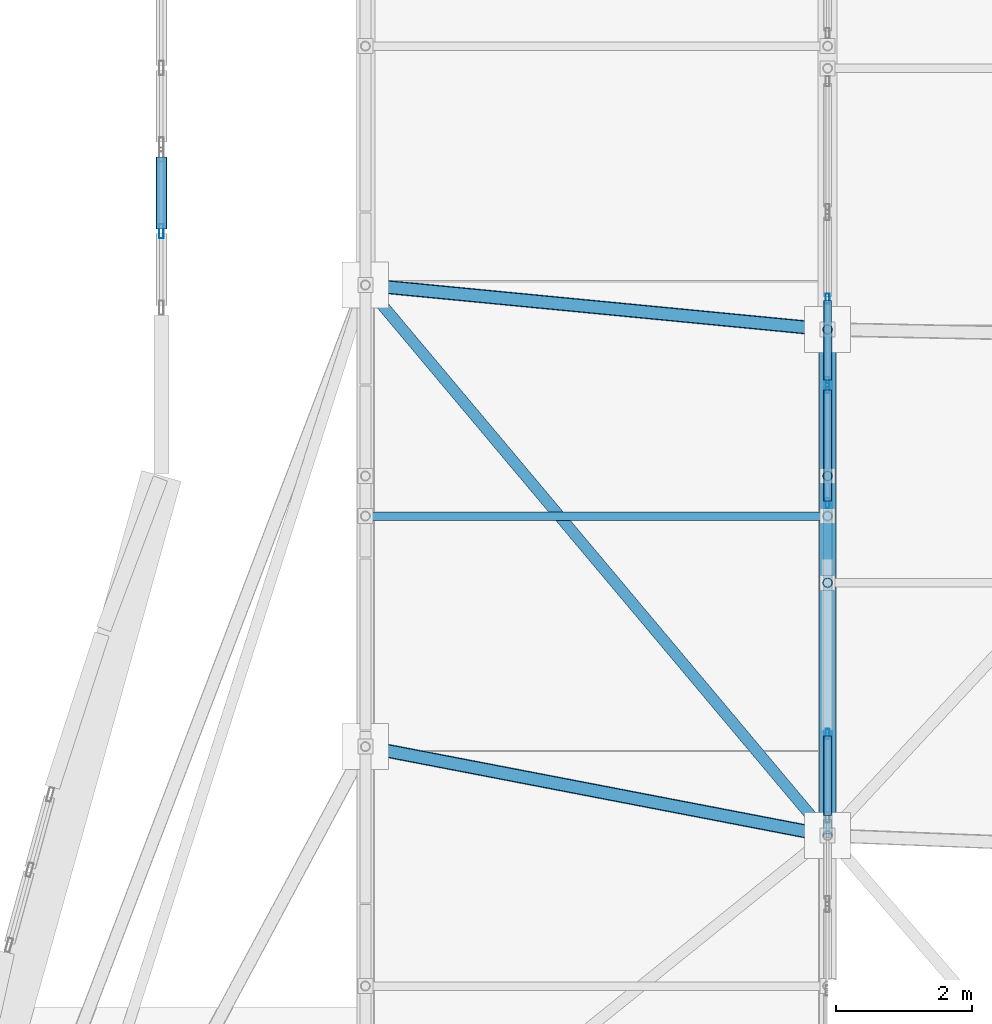
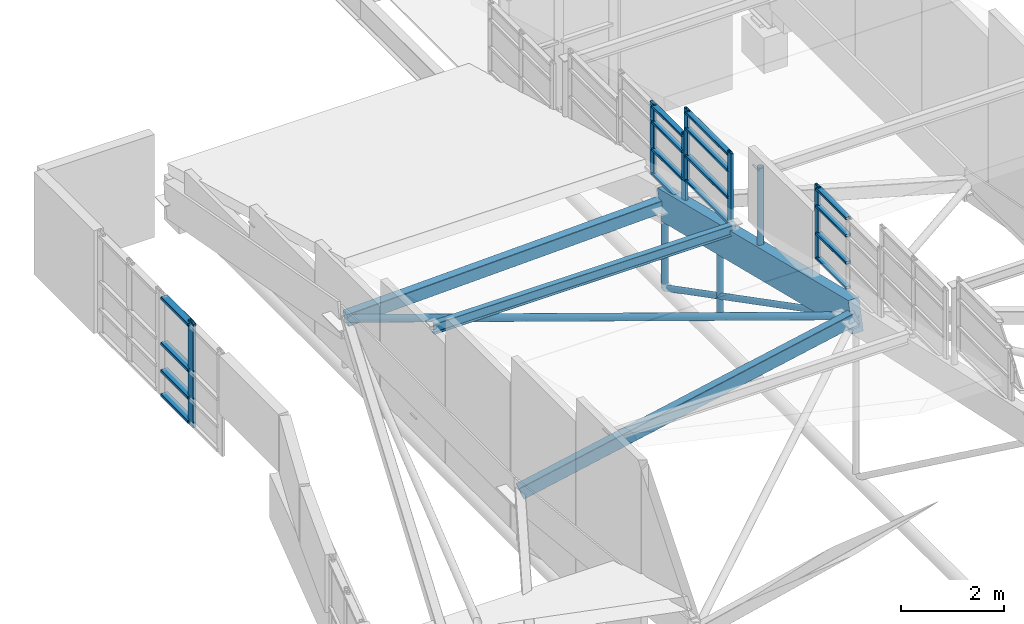
# One storey, part 57 of 188: 31 members, 4 elements without a shape of their own.
"""IFC4 building model written with IfcOpenShell, lengths in metres."""

from ifc_helpers import new_model, si_unit, direction, frame, origin, origin_2d, place, context, subcontext, project, spatial, rectangle, hollow_rectangle, hollow_circle, i_section, extrude, material, layer, layer_set, material_profile, profile_set, type_object, element, aggregate, save


model = new_model("IFC4")

# Units and contexts
model_context = context("Model", 3, precision=1e-05, world=origin(), true_north=direction((0.0, 1.0)))
body_context = subcontext(model_context, "Body", "Model", "MODEL_VIEW")
ifc_project = project(units=[si_unit("LENGTHUNIT", "METRE"), si_unit("AREAUNIT", "SQUARE_METRE"), si_unit("VOLUMEUNIT", "CUBIC_METRE"), si_unit("PLANEANGLEUNIT", "RADIAN"), si_unit("MASSUNIT", "GRAM", prefix="KILO")], contexts=[model_context])

# Site, building, storey
site_placement = place(None, origin())
site = spatial("IfcSite", under=ifc_project, at=site_placement, CompositionType="ELEMENT")
building_placement = place(site_placement, origin())
building = spatial("IfcBuilding", under=site, at=building_placement, Name="Kisaragi Civic Commons", CompositionType="ELEMENT")
storey_placement = place(building_placement, frame((0.0, 0.0, 9.60009765625)))
storey = spatial("IfcBuildingStorey", under=building, at=storey_placement, Name="L02", CompositionType="ELEMENT", Elevation=9.60009765625)

# Member
ifc_material_1 = material(Name="Steel SN400 (SN400B)", Category="steel")
ifc_material_profile_1 = material_profile(ifc_material_1, hollow_circle(Radius=0.08251953125, WallThickness=0.006103515625, at=origin_2d()), Name="CHS-165.2x6.0", Category="steel")
ifc_profile_set_1 = profile_set([ifc_material_profile_1], Name="Steel SN400 (SN400B)")
member_type_1 = type_object("IfcMemberType", Name="BR-02", PredefinedType="BRACE", material=ifc_profile_set_1)
member_1_placement = place(storey_placement, frame((6.800048828125, 55.609619140625, 0.5673828125), z_axis=(0.624527569403, -0.74385890622, 0.237990005445), x_axis=(0.765864014879, 0.643002574422, 0.0)))
element("IfcMember", 1, at=member_1_placement, inside=storey, type_object=member_type_1, Name="V1 diagonal gridshell steel brace 12", PredefinedType="BRACE", context=body_context, shape_type="SweptSolid", body=[
    extrude(hollow_circle(Radius=0.08251953125, WallThickness=0.006103515625, at=origin_2d()), origin(), (0.0, 0.0, 1.0), 10.888427734375),
])

# Curtain wall, member
ifc_material_2 = material(Name="Thermally broken anodized aluminium and low-E double glazing", Category="aluminium")
ifc_layer_1 = layer(ifc_material_2, 0.14990234375, Name="Thermally broken anodized aluminium and low-E double glazing", Category="aluminium")
ifc_layer_set_1 = layer_set([ifc_layer_1], Name="Thermally broken anodized aluminium and low-E double glazing")
curtain_wall_type_1 = type_object("IfcCurtainWallType", Name="CW-03", PredefinedType="NOTDEFINED", material=ifc_layer_set_1)
curtain_wall_1_placement = place(storey_placement, origin())
curtain_wall_1 = element("IfcCurtainWall", 2, at=curtain_wall_1_placement, inside=storey, type_object=curtain_wall_type_1, Name="L02 curtain wall CW-03 CW-CL-V1-148", PredefinedType="NOTDEFINED")
ifc_material_profile_2 = material_profile(ifc_material_2, hollow_rectangle(XDim=0.06005859375, YDim=0.14990234375, WallThickness=0.00390625, InnerFilletRadius=0.00390625, OuterFilletRadius=0.008056640625, at=origin_2d()), Name="CWM-60x150x4", Category="aluminium")
ifc_profile_set_2 = profile_set([ifc_material_profile_2], Name="Thermally broken anodized aluminium and low-E double glazing")
member_type_2 = type_object("IfcMemberType", Name="CWM-01", PredefinedType="MULLION", material=ifc_profile_set_2)
member_2_placement = place(storey_placement, frame((13.60009765625, 49.005615234375, 3.593994140625), z_axis=(0.0, 0.0, 1.0), x_axis=(-1.0, 0.0, 0.0)))
member_2 = element("IfcMember", 3, at=member_2_placement, type_object=member_type_2, Name="CW-03 mullion 3", PredefinedType="MULLION", context=body_context, shape_type="SweptSolid", body=[
    extrude(hollow_rectangle(XDim=0.06005859375, YDim=0.14990234375, WallThickness=0.00390625, InnerFilletRadius=0.00390625, OuterFilletRadius=0.008056640625, at=origin_2d()), origin(), (0.0, 0.0, 1.0), 1.770751953125),
])

# Curtain wall, members
curtain_wall_2_placement = place(storey_placement, origin())
curtain_wall_2 = element("IfcCurtainWall", 4, at=curtain_wall_2_placement, inside=storey, type_object=curtain_wall_type_1, Name="L02 curtain wall CW-03 CW-CL-V1-149", PredefinedType="NOTDEFINED")
member_3_placement = place(storey_placement, frame((13.60009765625, 52.400390625, 2.352294921875), z_axis=(0.0, 0.0, 1.0), x_axis=(-1.0, 0.0, 0.0)))
member_3 = element("IfcMember", 5, at=member_3_placement, type_object=member_type_2, Name="CW-03 mullion 1", PredefinedType="MULLION", context=body_context, shape_type="SweptSolid", body=[
    extrude(hollow_rectangle(XDim=0.06005859375, YDim=0.14990234375, WallThickness=0.00390625, InnerFilletRadius=0.00390625, OuterFilletRadius=0.008056640625, at=origin_2d()), origin(), (0.0, 0.0, 1.0), 1.74365234375),
])
member_4_placement = place(storey_placement, frame((13.60009765625, 54.094482421875, 2.352294921875), z_axis=(0.0, 0.0, 1.0), x_axis=(-1.0, 0.0, 0.0)))
member_4 = element("IfcMember", 6, at=member_4_placement, type_object=member_type_2, Name="CW-03 mullion 2", PredefinedType="MULLION", context=body_context, shape_type="SweptSolid", body=[
    extrude(hollow_rectangle(XDim=0.06005859375, YDim=0.14990234375, WallThickness=0.00390625, InnerFilletRadius=0.00390625, OuterFilletRadius=0.008056640625, at=origin_2d()), origin(), (0.0, 0.0, 1.0), 1.74365234375),
])

curtain_wall_3_placement = place(storey_placement, origin())
curtain_wall_3 = element("IfcCurtainWall", 7, at=curtain_wall_3_placement, inside=storey, type_object=curtain_wall_type_1, Name="L02 curtain wall CW-03 CW-CL-V1-150", PredefinedType="NOTDEFINED")
member_5_placement = place(storey_placement, frame((13.60009765625, 54.178466796875, 1.718017578125), z_axis=(0.0, 0.0, 1.0), x_axis=(-1.0, 0.0, 0.0)))
member_5 = element("IfcMember", 8, at=member_5_placement, type_object=member_type_2, Name="CW-03 mullion 1", PredefinedType="MULLION", context=body_context, shape_type="SweptSolid", body=[
    extrude(hollow_rectangle(XDim=0.06005859375, YDim=0.14990234375, WallThickness=0.00390625, InnerFilletRadius=0.00390625, OuterFilletRadius=0.008056640625, at=origin_2d()), origin(), (0.0, 0.0, 1.0), 1.732421875),
])
member_6_placement = place(storey_placement, frame((13.60009765625, 55.40869140625, 1.718017578125), z_axis=(0.0, 0.0, 1.0), x_axis=(-1.0, 0.0, 0.0)))
member_6 = element("IfcMember", 9, at=member_6_placement, type_object=member_type_2, Name="CW-03 mullion 2", PredefinedType="MULLION", context=body_context, shape_type="SweptSolid", body=[
    extrude(hollow_rectangle(XDim=0.06005859375, YDim=0.14990234375, WallThickness=0.00390625, InnerFilletRadius=0.00390625, OuterFilletRadius=0.008056640625, at=origin_2d()), origin(), (0.0, 0.0, 1.0), 1.732421875),
])

# Curtain wall, member
ifc_layer_2 = layer(ifc_material_2, 0.2099609375, Name="Thermally broken anodized aluminium and low-E double glazing", Category="aluminium")
ifc_layer_set_2 = layer_set([ifc_layer_2], Name="Thermally broken anodized aluminium and low-E double glazing")
curtain_wall_type_2 = type_object("IfcCurtainWallType", Name="CW-02", PredefinedType="NOTDEFINED", material=ifc_layer_set_2)
curtain_wall_4_placement = place(storey_placement, origin())
curtain_wall_4 = element("IfcCurtainWall", 10, at=curtain_wall_4_placement, inside=storey, type_object=curtain_wall_type_2, Name="L02 curtain wall CW-02 CW-GAB-V1-172", PredefinedType="NOTDEFINED")
ifc_material_profile_3 = material_profile(ifc_material_2, hollow_rectangle(XDim=0.070068359375, YDim=0.2099609375, WallThickness=0.0048828125, InnerFilletRadius=0.0048828125, OuterFilletRadius=0.010009765625, at=origin_2d()), Name="CWM-70x210x5", Category="aluminium")
ifc_profile_set_3 = profile_set([ifc_material_profile_3], Name="Thermally broken anodized aluminium and low-E double glazing")
member_type_3 = type_object("IfcMemberType", Name="CWM-03", PredefinedType="MULLION", material=ifc_profile_set_3)
member_7_placement = place(storey_placement, frame((3.800048828125, 56.39990234375, -1.399169921875), z_axis=(0.0, 0.0, 1.0), x_axis=(-1.0, 0.0, 0.0)))
member_7 = element("IfcMember", 11, at=member_7_placement, type_object=member_type_3, Name="CW-02 mullion 2", PredefinedType="MULLION", context=body_context, shape_type="SweptSolid", body=[
    extrude(hollow_rectangle(XDim=0.070068359375, YDim=0.2099609375, WallThickness=0.0048828125, InnerFilletRadius=0.0048828125, OuterFilletRadius=0.010009765625, at=origin_2d()), origin(), (0.0, 0.0, 1.0), 2.461181640625),
])

# Member
ifc_material_profile_4 = material_profile(ifc_material_2, hollow_rectangle(XDim=0.1201171875, YDim=0.06005859375, WallThickness=0.00390625, InnerFilletRadius=0.00390625, OuterFilletRadius=0.008056640625, at=origin_2d()), Name="CWT-60x120x4", Category="aluminium")
ifc_profile_set_4 = profile_set([ifc_material_profile_4], Name="Thermally broken anodized aluminium and low-E double glazing")
member_type_4 = type_object("IfcMemberType", Name="CWT-01", PredefinedType="USERDEFINED", material=ifc_profile_set_4)
member_8_placement = place(storey_placement, frame((13.60009765625, 47.80517578125, 3.654052734375), z_axis=(0.0, 1.0, 0.0), x_axis=(-1.0, 0.0, 0.0)))
member_8 = element("IfcMember", 12, at=member_8_placement, type_object=member_type_4, Name="CW-03 transom 2.1", ObjectType="TRANSOM", PredefinedType="USERDEFINED", context=body_context, shape_type="SweptSolid", body=[
    extrude(hollow_rectangle(XDim=0.1201171875, YDim=0.06005859375, WallThickness=0.00390625, InnerFilletRadius=0.00390625, OuterFilletRadius=0.008056640625, at=origin_2d()), origin(), (0.0, 0.0, 1.0), 1.17041015625),
])

member_9_placement = place(storey_placement, frame((13.60009765625, 47.80517578125, 4.244140625), z_axis=(0.0, 1.0, 0.0), x_axis=(-1.0, 0.0, 0.0)))
member_9 = element("IfcMember", 13, at=member_9_placement, type_object=member_type_4, Name="CW-03 transom 2.2", ObjectType="TRANSOM", PredefinedType="USERDEFINED", context=body_context, shape_type="SweptSolid", body=[
    extrude(hollow_rectangle(XDim=0.1201171875, YDim=0.06005859375, WallThickness=0.00390625, InnerFilletRadius=0.00390625, OuterFilletRadius=0.008056640625, at=origin_2d()), origin(), (0.0, 0.0, 1.0), 1.17041015625),
])

member_10_placement = place(storey_placement, frame((13.60009765625, 47.80517578125, 4.89404296875), z_axis=(0.0, 1.0, 0.0), x_axis=(-1.0, 0.0, 0.0)))
member_10 = element("IfcMember", 14, at=member_10_placement, type_object=member_type_4, Name="CW-03 transom 2.3", ObjectType="TRANSOM", PredefinedType="USERDEFINED", context=body_context, shape_type="SweptSolid", body=[
    extrude(hollow_rectangle(XDim=0.1201171875, YDim=0.06005859375, WallThickness=0.00390625, InnerFilletRadius=0.00390625, OuterFilletRadius=0.008056640625, at=origin_2d()), origin(), (0.0, 0.0, 1.0), 1.17041015625),
])

member_11_placement = place(storey_placement, frame((13.60009765625, 47.80517578125, 5.3046875), z_axis=(0.0, 1.0, 0.0), x_axis=(-1.0, 0.0, 0.0)))
member_11 = element("IfcMember", 15, at=member_11_placement, type_object=member_type_4, Name="CW-03 transom 2.4", ObjectType="TRANSOM", PredefinedType="USERDEFINED", context=body_context, shape_type="SweptSolid", body=[
    extrude(hollow_rectangle(XDim=0.1201171875, YDim=0.06005859375, WallThickness=0.00390625, InnerFilletRadius=0.00390625, OuterFilletRadius=0.008056640625, at=origin_2d()), origin(), (0.0, 0.0, 1.0), 1.17041015625),
])

aggregate(curtain_wall_1, [member_2, member_8, member_9, member_10, member_11])

member_12_placement = place(storey_placement, frame((13.60009765625, 52.430419921875, 2.412353515625), z_axis=(0.0, 1.0, 0.0), x_axis=(-1.0, 0.0, 0.0)))
member_12 = element("IfcMember", 16, at=member_12_placement, type_object=member_type_4, Name="CW-03 transom 1.1", ObjectType="TRANSOM", PredefinedType="USERDEFINED", context=body_context, shape_type="SweptSolid", body=[
    extrude(hollow_rectangle(XDim=0.1201171875, YDim=0.06005859375, WallThickness=0.00390625, InnerFilletRadius=0.00390625, OuterFilletRadius=0.008056640625, at=origin_2d()), origin(), (0.0, 0.0, 1.0), 1.634033203125),
])

member_13_placement = place(storey_placement, frame((13.60009765625, 52.430419921875, 3.002197265625), z_axis=(0.0, 1.0, 0.0), x_axis=(-1.0, 0.0, 0.0)))
member_13 = element("IfcMember", 17, at=member_13_placement, type_object=member_type_4, Name="CW-03 transom 1.2", ObjectType="TRANSOM", PredefinedType="USERDEFINED", context=body_context, shape_type="SweptSolid", body=[
    extrude(hollow_rectangle(XDim=0.1201171875, YDim=0.06005859375, WallThickness=0.00390625, InnerFilletRadius=0.00390625, OuterFilletRadius=0.008056640625, at=origin_2d()), origin(), (0.0, 0.0, 1.0), 1.634033203125),
])

member_14_placement = place(storey_placement, frame((13.60009765625, 52.430419921875, 3.65234375), z_axis=(0.0, 1.0, 0.0), x_axis=(-1.0, 0.0, 0.0)))
member_14 = element("IfcMember", 18, at=member_14_placement, type_object=member_type_4, Name="CW-03 transom 1.3", ObjectType="TRANSOM", PredefinedType="USERDEFINED", context=body_context, shape_type="SweptSolid", body=[
    extrude(hollow_rectangle(XDim=0.1201171875, YDim=0.06005859375, WallThickness=0.00390625, InnerFilletRadius=0.00390625, OuterFilletRadius=0.008056640625, at=origin_2d()), origin(), (0.0, 0.0, 1.0), 1.634033203125),
])

member_15_placement = place(storey_placement, frame((13.60009765625, 52.430419921875, 4.035888671875), z_axis=(0.0, 1.0, 0.0), x_axis=(-1.0, 0.0, 0.0)))
member_15 = element("IfcMember", 19, at=member_15_placement, type_object=member_type_4, Name="CW-03 transom 1.4", ObjectType="TRANSOM", PredefinedType="USERDEFINED", context=body_context, shape_type="SweptSolid", body=[
    extrude(hollow_rectangle(XDim=0.1201171875, YDim=0.06005859375, WallThickness=0.00390625, InnerFilletRadius=0.00390625, OuterFilletRadius=0.008056640625, at=origin_2d()), origin(), (0.0, 0.0, 1.0), 1.634033203125),
])

aggregate(curtain_wall_2, [member_3, member_4, member_12, member_13, member_14, member_15])

member_16_placement = place(storey_placement, frame((13.60009765625, 54.20849609375, 1.77783203125), z_axis=(0.0, 1.0, 0.0), x_axis=(-1.0, 0.0, 0.0)))
member_16 = element("IfcMember", 20, at=member_16_placement, type_object=member_type_4, Name="CW-03 transom 1.1", ObjectType="TRANSOM", PredefinedType="USERDEFINED", context=body_context, shape_type="SweptSolid", body=[
    extrude(hollow_rectangle(XDim=0.1201171875, YDim=0.06005859375, WallThickness=0.00390625, InnerFilletRadius=0.00390625, OuterFilletRadius=0.008056640625, at=origin_2d()), origin(), (0.0, 0.0, 1.0), 1.170166015625),
])

member_17_placement = place(storey_placement, frame((13.60009765625, 54.20849609375, 2.367919921875), z_axis=(0.0, 1.0, 0.0), x_axis=(-1.0, 0.0, 0.0)))
member_17 = element("IfcMember", 21, at=member_17_placement, type_object=member_type_4, Name="CW-03 transom 1.2", ObjectType="TRANSOM", PredefinedType="USERDEFINED", context=body_context, shape_type="SweptSolid", body=[
    extrude(hollow_rectangle(XDim=0.1201171875, YDim=0.06005859375, WallThickness=0.00390625, InnerFilletRadius=0.00390625, OuterFilletRadius=0.008056640625, at=origin_2d()), origin(), (0.0, 0.0, 1.0), 1.170166015625),
])

member_18_placement = place(storey_placement, frame((13.60009765625, 54.20849609375, 3.017822265625), z_axis=(0.0, 1.0, 0.0), x_axis=(-1.0, 0.0, 0.0)))
member_18 = element("IfcMember", 22, at=member_18_placement, type_object=member_type_4, Name="CW-03 transom 1.3", ObjectType="TRANSOM", PredefinedType="USERDEFINED", context=body_context, shape_type="SweptSolid", body=[
    extrude(hollow_rectangle(XDim=0.1201171875, YDim=0.06005859375, WallThickness=0.00390625, InnerFilletRadius=0.00390625, OuterFilletRadius=0.008056640625, at=origin_2d()), origin(), (0.0, 0.0, 1.0), 1.170166015625),
])

member_19_placement = place(storey_placement, frame((13.60009765625, 54.20849609375, 3.390380859375), z_axis=(0.0, 1.0, 0.0), x_axis=(-1.0, 0.0, 0.0)))
member_19 = element("IfcMember", 23, at=member_19_placement, type_object=member_type_4, Name="CW-03 transom 1.4", ObjectType="TRANSOM", PredefinedType="USERDEFINED", context=body_context, shape_type="SweptSolid", body=[
    extrude(hollow_rectangle(XDim=0.1201171875, YDim=0.06005859375, WallThickness=0.00390625, InnerFilletRadius=0.00390625, OuterFilletRadius=0.008056640625, at=origin_2d()), origin(), (0.0, 0.0, 1.0), 1.170166015625),
])

aggregate(curtain_wall_3, [member_5, member_6, member_16, member_17, member_18, member_19])

ifc_material_profile_5 = material_profile(ifc_material_2, hollow_rectangle(XDim=0.159912109375, YDim=0.070068359375, WallThickness=0.0048828125, InnerFilletRadius=0.0048828125, OuterFilletRadius=0.010009765625, at=origin_2d()), Name="CWT-70x160x5", Category="aluminium")
ifc_profile_set_5 = profile_set([ifc_material_profile_5], Name="Thermally broken anodized aluminium and low-E double glazing")
member_type_5 = type_object("IfcMemberType", Name="CWT-03", PredefinedType="USERDEFINED", material=ifc_profile_set_5)
member_20_placement = place(storey_placement, frame((3.800048828125, 56.43505859375, -1.319091796875), z_axis=(0.0, 1.0, 0.0), x_axis=(-1.0, 0.0, 0.0)))
member_20 = element("IfcMember", 24, at=member_20_placement, type_object=member_type_5, Name="CW-02 transom 2.1", ObjectType="TRANSOM", PredefinedType="USERDEFINED", context=body_context, shape_type="SweptSolid", body=[
    extrude(hollow_rectangle(XDim=0.159912109375, YDim=0.070068359375, WallThickness=0.0048828125, InnerFilletRadius=0.0048828125, OuterFilletRadius=0.010009765625, at=origin_2d()), origin(), (0.0, 0.0, 1.0), 1.054931640625),
])

member_21_placement = place(storey_placement, frame((3.800048828125, 56.43505859375, -0.7490234375), z_axis=(0.0, 1.0, 0.0), x_axis=(-1.0, 0.0, 0.0)))
member_21 = element("IfcMember", 25, at=member_21_placement, type_object=member_type_5, Name="CW-02 transom 2.2", ObjectType="TRANSOM", PredefinedType="USERDEFINED", context=body_context, shape_type="SweptSolid", body=[
    extrude(hollow_rectangle(XDim=0.159912109375, YDim=0.070068359375, WallThickness=0.0048828125, InnerFilletRadius=0.0048828125, OuterFilletRadius=0.010009765625, at=origin_2d()), origin(), (0.0, 0.0, 1.0), 1.054931640625),
])

member_22_placement = place(storey_placement, frame((3.800048828125, 56.43505859375, -0.09912109375), z_axis=(0.0, 1.0, 0.0), x_axis=(-1.0, 0.0, 0.0)))
member_22 = element("IfcMember", 26, at=member_22_placement, type_object=member_type_5, Name="CW-02 transom 2.3", ObjectType="TRANSOM", PredefinedType="USERDEFINED", context=body_context, shape_type="SweptSolid", body=[
    extrude(hollow_rectangle(XDim=0.159912109375, YDim=0.070068359375, WallThickness=0.0048828125, InnerFilletRadius=0.0048828125, OuterFilletRadius=0.010009765625, at=origin_2d()), origin(), (0.0, 0.0, 1.0), 1.054931640625),
])

member_23_placement = place(storey_placement, frame((3.800048828125, 56.43505859375, 0.98193359375), z_axis=(0.0, 1.0, 0.0), x_axis=(-1.0, 0.0, 0.0)))
member_23 = element("IfcMember", 27, at=member_23_placement, type_object=member_type_5, Name="CW-02 transom 2.4", ObjectType="TRANSOM", PredefinedType="USERDEFINED", context=body_context, shape_type="SweptSolid", body=[
    extrude(hollow_rectangle(XDim=0.159912109375, YDim=0.070068359375, WallThickness=0.0048828125, InnerFilletRadius=0.0048828125, OuterFilletRadius=0.010009765625, at=origin_2d()), origin(), (0.0, 0.0, 1.0), 1.054931640625),
])

aggregate(curtain_wall_4, [member_7, member_20, member_21, member_22, member_23])

# Members
ifc_material_3 = material(Name="Steel SN490 (SN490B)", Category="steel")
ifc_material_profile_6 = material_profile(ifc_material_3, hollow_rectangle(XDim=0.199951171875, YDim=0.300048828125, WallThickness=0.009033203125, InnerFilletRadius=0.009033203125, OuterFilletRadius=0.01806640625, at=origin_2d()), Name="STKR-300x200x9", Category="steel")
ifc_profile_set_6 = profile_set([ifc_material_profile_6], Name="Steel SN490 (SN490B)")
member_type_6 = type_object("IfcMemberType", Name="GC-02", PredefinedType="CHORD", material=ifc_profile_set_6)
member_24_placement = place(storey_placement, frame((6.800048828125, 48.819091796875, 0.5673828125), z_axis=(0.919693360947, -0.177017775753, 0.350469440746), x_axis=(0.189005614193, 0.981976006735, 0.0)))
element("IfcMember", 28, at=member_24_placement, inside=storey, type_object=member_type_6, Name="V1 wave gridshell chord GC-02 13", PredefinedType="CHORD", context=body_context, shape_type="SweptSolid", body=[
    extrude(hollow_rectangle(XDim=0.199951171875, YDim=0.300048828125, WallThickness=0.009033203125, InnerFilletRadius=0.009033203125, OuterFilletRadius=0.01806640625, at=origin_2d()), origin(), (0.0, 0.0, 1.0), 7.393798828125),
])
member_25_placement = place(storey_placement, frame((6.800048828125, 55.609619140625, 0.5673828125), z_axis=(0.989276615742, -0.095223157534, 0.110744425659), x_axis=(0.09581250811, 0.995399398879, 0.0)))
element("IfcMember", 29, at=member_25_placement, inside=storey, type_object=member_type_6, Name="V1 wave gridshell chord GC-02 14", PredefinedType="CHORD", context=body_context, shape_type="SweptSolid", body=[
    extrude(hollow_rectangle(XDim=0.199951171875, YDim=0.300048828125, WallThickness=0.009033203125, InnerFilletRadius=0.009033203125, OuterFilletRadius=0.01806640625, at=origin_2d()), origin(), (0.0, 0.0, 1.0), 6.873779296875),
])
ifc_material_4 = material(Name="Glulam E120-F330", Category="wood")
ifc_material_profile_7 = material_profile(ifc_material_4, rectangle(XDim=0.239990234375, YDim=0.719970703125, at=origin_2d()), Name="GL-240x720", Category="wood")
ifc_profile_set_7 = profile_set([ifc_material_profile_7], Name="Glulam E120-F330")
member_type_7 = type_object("IfcMemberType", Name="GR-02", PredefinedType="RAFTER", material=ifc_profile_set_7)
member_26_placement = place(storey_placement, frame((13.60009765625, 47.51025390625, 3.15869140625), z_axis=(0.0, 0.971090332472, -0.238712308395), x_axis=(-1.0, 0.0, 0.0)))
element("IfcMember", 30, at=member_26_placement, inside=storey, type_object=member_type_7, Name="V1 glulam arch rib GR-02 23", PredefinedType="RAFTER", context=body_context, shape_type="SweptSolid", body=[
    extrude(rectangle(XDim=0.239990234375, YDim=0.719970703125, at=origin_2d()), origin(), (0.0, 0.0, 1.0), 7.66650390625),
])
ifc_material_profile_8 = material_profile(ifc_material_1, i_section(OverallWidth=0.125, OverallDepth=0.25, WebThickness=0.006103515625, FlangeThickness=0.009033203125, FilletRadius=0.008056640625, at=origin_2d()), Name="H-250x125x6x9", Category="steel")
ifc_profile_set_8 = profile_set([ifc_material_profile_8], Name="Steel SN400 (SN400B)")
member_type_8 = type_object("IfcMemberType", Name="PR-01", PredefinedType="PURLIN", material=ifc_profile_set_8)
member_27_placement = place(storey_placement, frame((6.800048828125, 52.21044921875, 2.404052734375), z_axis=(1.0, 0.0, 0.0), x_axis=(0.0, 1.0, 0.0)))
element("IfcMember", 31, at=member_27_placement, inside=storey, type_object=member_type_8, Name="V1 wave vault steel purlin 15", PredefinedType="PURLIN", context=body_context, shape_type="SweptSolid", body=[
    extrude(i_section(OverallWidth=0.125, OverallDepth=0.25, WebThickness=0.006103515625, FlangeThickness=0.009033203125, FilletRadius=0.008056640625, at=origin_2d()), origin(), (0.0, 0.0, 1.0), 6.800048828125),
])
ifc_material_profile_9 = material_profile(ifc_material_3, hollow_circle(Radius=0.06982421875, WallThickness=0.006103515625, at=origin_2d()), Name="CHS-139.8x6.0", Category="steel")
ifc_profile_set_9 = profile_set([ifc_material_profile_9], Name="Steel SN490 (SN490B)")
member_type_9 = type_object("IfcMemberType", Name="ST-H1", PredefinedType="STRUT", material=ifc_profile_set_9)
member_28_placement = place(storey_placement, frame((13.60009765625, 54.955078125, -0.691162109375), z_axis=(0.0, 0.0, 1.0), x_axis=(1.0, 0.0, 0.0)))
element("IfcMember", 32, at=member_28_placement, inside=storey, type_object=member_type_9, Name="V1 arch tie hanger strut 36", PredefinedType="STRUT", context=body_context, shape_type="SweptSolid", body=[
    extrude(hollow_circle(Radius=0.06982421875, WallThickness=0.006103515625, at=origin_2d()), origin(), (0.0, 0.0, 1.0), 2.019775390625),
])
member_29_placement = place(storey_placement, frame((13.60009765625, 54.955078125, -0.691162109375), z_axis=(0.0, -0.888262316305, 0.459336540494), x_axis=(1.0, 0.0, 0.0)))
element("IfcMember", 33, at=member_29_placement, inside=storey, type_object=member_type_9, Name="V1 tied arch truss diagonal web strut 42", PredefinedType="STRUT", context=body_context, shape_type="SweptSolid", body=[
    extrude(hollow_circle(Radius=0.06982421875, WallThickness=0.006103515625, at=origin_2d()), origin(), (0.0, 0.0, 1.0), 8.38134765625),
])
member_30_placement = place(storey_placement, frame((13.60009765625, 52.800048828125, -0.02001953125), z_axis=(0.0, 0.0, 1.0), x_axis=(1.0, 0.0, 0.0)))
element("IfcMember", 34, at=member_30_placement, inside=storey, type_object=member_type_9, Name="V1 interior column arch support post (13.6,52.8)", PredefinedType="STRUT", context=body_context, shape_type="SweptSolid", body=[
    extrude(hollow_circle(Radius=0.06982421875, WallThickness=0.006103515625, at=origin_2d()), origin(), (0.0, 0.0, 1.0), 1.87841796875),
])
member_31_placement = place(storey_placement, frame((13.60009765625, 51.22900390625, 2.24462890625), z_axis=(0.0, 0.0, 1.0), x_axis=(1.0, 0.0, 0.0)))
element("IfcMember", 35, at=member_31_placement, inside=storey, type_object=member_type_9, Name="V1 clerestory monitor horizontal tie strut 3.2.7", PredefinedType="STRUT", context=body_context, shape_type="SweptSolid", body=[
    extrude(hollow_circle(Radius=0.06982421875, WallThickness=0.006103515625, at=origin_2d()), origin(), (0.0, 0.0, 1.0), 2.212646484375),
])

save(model, "model.ifc")
